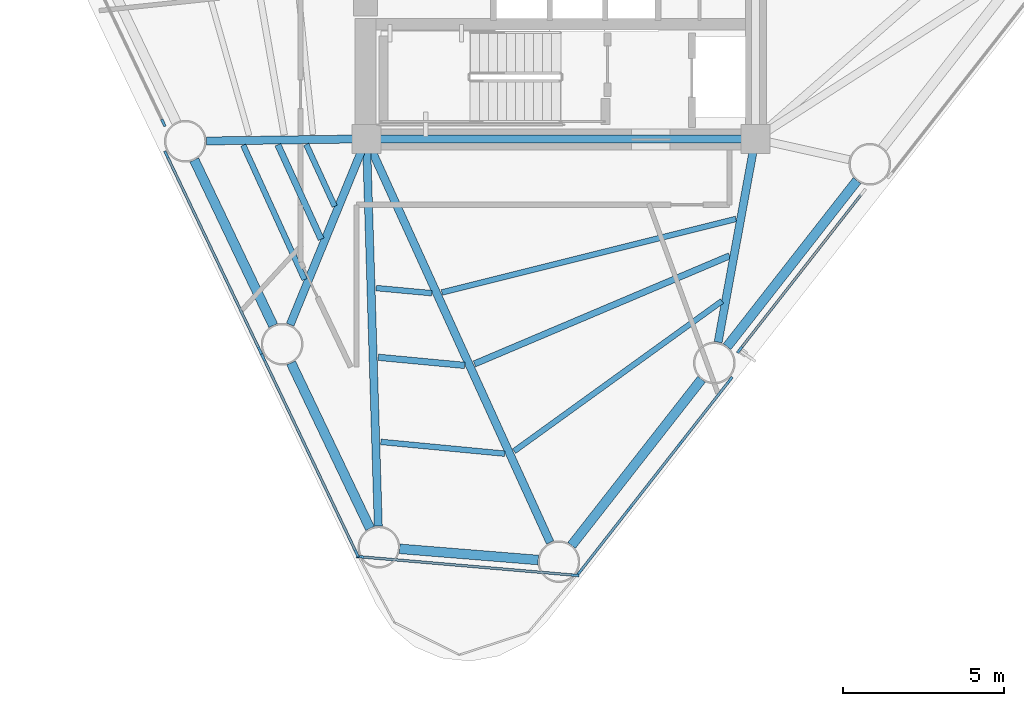
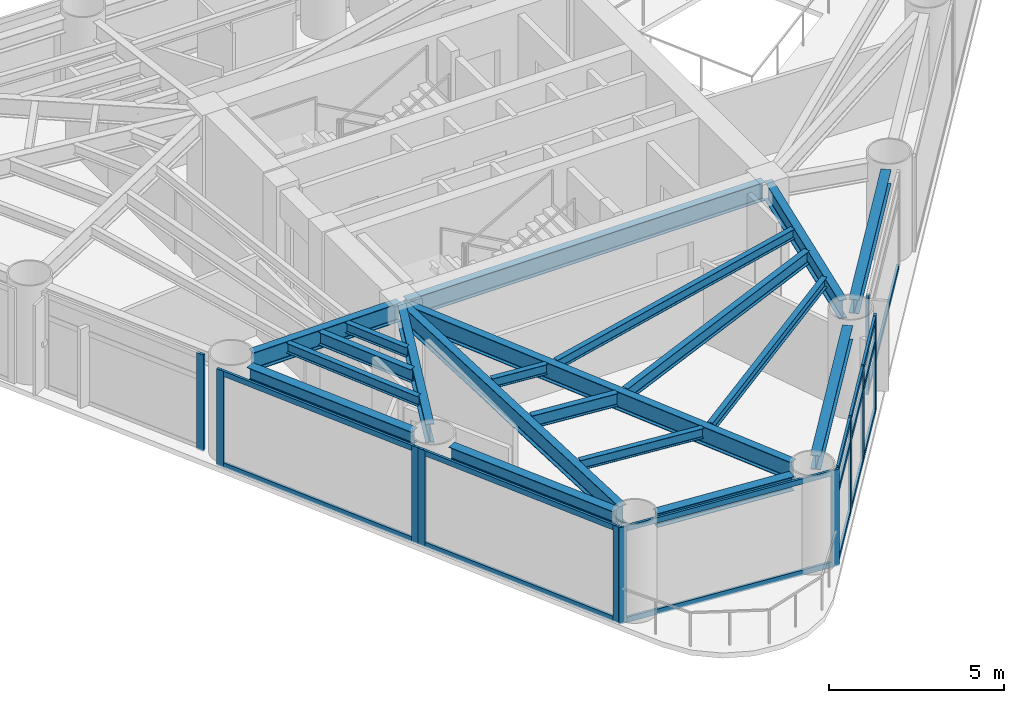
# One storey, part 2 of 10: 28 members, 20 beams, 6 elements without a shape of their own.
"""IFC4 building model written with IfcOpenShell, lengths in metres."""

from ifc_helpers import new_model, si_unit, direction, frame, origin, origin_2d, place, context, subcontext, project, spatial, rectangle, i_section, extrude, source, transform, mapped, material, layer, layer_set, material_profile, profile_set, type_object, element, aggregate, save


model = new_model("IFC4")

# Units and contexts
model_context = context("Model", 3, precision=1e-05, world=origin(), true_north=direction((0.0, 1.0)))
body_context = subcontext(model_context, "Body", "Model", "MODEL_VIEW")
ifc_project = project(units=[si_unit("LENGTHUNIT", "METRE"), si_unit("AREAUNIT", "SQUARE_METRE"), si_unit("VOLUMEUNIT", "CUBIC_METRE"), si_unit("PLANEANGLEUNIT", "RADIAN"), si_unit("MASSUNIT", "GRAM", prefix="KILO")], contexts=[model_context])

# Site, building, storey
site_placement = place(None, origin())
site = spatial("IfcSite", under=ifc_project, at=site_placement, CompositionType="ELEMENT")
building_placement = place(site_placement, origin())
building = spatial("IfcBuilding", under=site, at=building_placement, Name="Yunling Apex Tower", CompositionType="ELEMENT")
storey_placement = place(building_placement, frame((0.0, 0.0, 136.39990234375)))
storey = spatial("IfcBuildingStorey", under=building, at=storey_placement, Name="L33", CompositionType="ELEMENT", Elevation=136.39990234375)

# Beams
ifc_material_1 = material(Name="Steel Q355B", Category="steel")
ifc_material_profile_1 = material_profile(ifc_material_1, i_section(OverallWidth=0.25, OverallDepth=0.64990234375, WebThickness=0.011962890625, FlangeThickness=0.02001953125, FilletRadius=0.02392578125, at=origin_2d()))
ifc_profile_set_1 = profile_set([ifc_material_profile_1], Name="Steel Q355B")
beam_type_1 = type_object("IfcBeamType", Name="BG-PRI-4", PredefinedType="USERDEFINED", material=ifc_profile_set_1)
shared_shape_1 = source(origin(), body_context, "Body", "SweptSolid", [
    extrude(i_section(OverallWidth=0.25, OverallDepth=0.64990234375, WebThickness=0.011962890625, FlangeThickness=0.02001953125, FilletRadius=0.02392578125, at=origin_2d()), origin(), (0.0, 0.0, 1.0), 11.7998046875),
])
beam_1_placement = place(storey_placement, frame((-5.89990234375, -5.5, 2.945068359375), z_axis=(1.0, 0.0, 0.0), x_axis=(0.0, 1.0, 0.0)))
element("IfcBeam", 1, at=beam_1_placement, inside=storey, type_object=beam_type_1, Name="L33 Core Ring Tie Beam 1", ObjectType="GIRDER", PredefinedType="USERDEFINED", context=body_context, shape_type="MappedRepresentation", body=[
    mapped(shared_shape_1, transform((0.0, 0.0, 0.0), scale=1.0)),
])
ifc_material_profile_2 = material_profile(ifc_material_1, i_section(OverallWidth=0.300048828125, OverallDepth=0.489990234375, WebThickness=0.010986328125, FlangeThickness=0.01806640625, FilletRadius=0.02197265625, at=origin_2d()))
ifc_profile_set_2 = profile_set([ifc_material_profile_2], Name="Steel Q355B")
beam_type_2 = type_object("IfcBeamType", Name="BP-SPN-2", PredefinedType="SPANDREL", material=ifc_profile_set_2)
shared_shape_2 = source(origin(), body_context, "Body", "SweptSolid", [
    extrude(i_section(OverallWidth=0.300048828125, OverallDepth=0.489990234375, WebThickness=0.010986328125, FlangeThickness=0.01806640625, FilletRadius=0.02197265625, at=origin_2d()), origin(), (0.0, 0.0, 1.0), 6.562255859375),
])
for number, where, z_axis, x_axis, name in (
    (2, (0.332763671875, -18.147216796875, 3.025146484375), (0.616214963059, 0.787578008392, 0.0), (-0.787578008392, 0.616214963059, 0.0), "L33 Perimeter Spandrel Beam 1"),
    (3, (5.170166015625, -11.964599609375, 3.025146484375), (0.616214963059, 0.787578008392, 0.0), (-0.787578008392, 0.616214963059, 0.0), "L33 Perimeter Spandrel Beam 2"),
):
    element("IfcBeam", number, at=place(storey_placement, frame(where, z_axis=z_axis, x_axis=x_axis)), inside=storey, type_object=beam_type_2, Name=name, PredefinedType="SPANDREL", context=body_context, shape_type="MappedRepresentation", body=[
        mapped(shared_shape_2, transform((0.0, 0.0, 0.0), scale=1.0)),
    ])
shared_shape_3 = source(origin(), body_context, "Body", "SweptSolid", [
    extrude(i_section(OverallWidth=0.300048828125, OverallDepth=0.489990234375, WebThickness=0.010986328125, FlangeThickness=0.01806640625, FilletRadius=0.02197265625, at=origin_2d()), origin(), (0.0, 0.0, 1.0), 5.707763671875),
])
for number, where, z_axis, x_axis, name in (
    (4, (-11.407958984375, -6.15478515625, 3.025146484375), (0.430522919645, -0.902579645051, 0.0), (0.902579645051, 0.430522919645, 0.0), "L33 Perimeter Spandrel Beam 13"),
    (5, (-8.396240234375, -12.468994140625, 3.025146484375), (0.430522919645, -0.902579645051, 0.0), (0.902579645051, 0.430522919645, 0.0), "L33 Perimeter Spandrel Beam 14"),
):
    element("IfcBeam", number, at=place(storey_placement, frame(where, z_axis=z_axis, x_axis=x_axis)), inside=storey, type_object=beam_type_2, Name=name, PredefinedType="SPANDREL", context=body_context, shape_type="MappedRepresentation", body=[
        mapped(shared_shape_3, transform((0.0, 0.0, 0.0), scale=1.0)),
    ])
shared_shape_4 = source(origin(), body_context, "Body", "SweptSolid", [
    extrude(i_section(OverallWidth=0.300048828125, OverallDepth=0.489990234375, WebThickness=0.010986328125, FlangeThickness=0.01806640625, FilletRadius=0.02197265625, at=origin_2d()), origin(), (0.0, 0.0, 1.0), 4.328369140625),
])
beam_2_placement = place(storey_placement, frame((-5.02001953125, -18.25390625, 3.025146484375), z_axis=(0.996750747621, -0.08054779399, 0.0), x_axis=(0.08054779399, 0.996750747621, 0.0)))
element("IfcBeam", 6, at=beam_2_placement, inside=storey, type_object=beam_type_2, Name="L33 Perimeter Spandrel Beam 15", PredefinedType="SPANDREL", context=body_context, shape_type="MappedRepresentation", body=[
    mapped(shared_shape_4, transform((0.0, 0.0, 0.0), scale=1.0)),
])
shared_shape_5 = source(origin(), body_context, "Body", "SweptSolid", [
    extrude(i_section(OverallWidth=0.25, OverallDepth=0.64990234375, WebThickness=0.011962890625, FlangeThickness=0.02001953125, FilletRadius=0.02392578125, at=origin_2d()), origin(), (0.0, 0.0, 1.0), 13.714599609375),
])
beam_3_placement = place(storey_placement, frame((-0.33642578125, -18.0556640625, 2.945068359375), z_axis=(-0.414187834577, 0.910191429145, 0.0), x_axis=(-0.910191429145, -0.414187834577, 0.0)))
element("IfcBeam", 7, at=beam_3_placement, inside=storey, type_object=beam_type_1, Name="L33 Radial Primary Girder R01", ObjectType="GIRDER", PredefinedType="USERDEFINED", context=body_context, shape_type="MappedRepresentation", body=[
    mapped(shared_shape_5, transform((0.0, 0.0, 0.0), scale=1.0)),
])
shared_shape_6 = source(origin(), body_context, "Body", "SweptSolid", [
    extrude(i_section(OverallWidth=0.25, OverallDepth=0.64990234375, WebThickness=0.011962890625, FlangeThickness=0.02001953125, FilletRadius=0.02392578125, at=origin_2d()), origin(), (0.0, 0.0, 1.0), 6.349853515625),
])
beam_4_placement = place(storey_placement, frame((4.891845703125, -11.82470703125, 2.945068359375), z_axis=(0.18012699938, 0.983643362248, 0.0), x_axis=(-0.983643362248, 0.18012699938, 0.0)))
element("IfcBeam", 8, at=beam_4_placement, inside=storey, type_object=beam_type_1, Name="L33 Radial Primary Girder R02", ObjectType="GIRDER", PredefinedType="USERDEFINED", context=body_context, shape_type="MappedRepresentation", body=[
    mapped(shared_shape_6, transform((0.0, 0.0, 0.0), scale=1.0)),
])
shared_shape_7 = source(origin(), body_context, "Body", "SweptSolid", [
    extrude(i_section(OverallWidth=0.25, OverallDepth=0.64990234375, WebThickness=0.011962890625, FlangeThickness=0.02001953125, FilletRadius=0.02392578125, at=origin_2d()), origin(), (0.0, 0.0, 1.0), 4.89794921875),
])
beam_5_placement = place(storey_placement, frame((-11.02734375, -5.56494140625, 2.945068359375), z_axis=(0.999914718433, 0.0130597037, 0.0), x_axis=(-0.0130597037, 0.999914718433, 0.0)))
element("IfcBeam", 9, at=beam_5_placement, inside=storey, type_object=beam_type_1, Name="L33 Radial Primary Girder R13", ObjectType="GIRDER", PredefinedType="USERDEFINED", context=body_context, shape_type="MappedRepresentation", body=[
    mapped(shared_shape_7, transform((0.0, 0.0, 0.0), scale=1.0)),
])
shared_shape_8 = source(origin(), body_context, "Body", "SweptSolid", [
    extrude(i_section(OverallWidth=0.25, OverallDepth=0.64990234375, WebThickness=0.011962890625, FlangeThickness=0.02001953125, FilletRadius=0.02392578125, at=origin_2d()), origin(), (0.0, 0.0, 1.0), 6.16748046875),
])
beam_6_placement = place(storey_placement, frame((-8.423583984375, -11.279052734375, 2.945068359375), z_axis=(0.379933370098, 0.925013856267, 0.0), x_axis=(-0.925013856267, 0.379933370098, 0.0)))
element("IfcBeam", 10, at=beam_6_placement, inside=storey, type_object=beam_type_1, Name="L33 Radial Primary Girder R14", ObjectType="GIRDER", PredefinedType="USERDEFINED", context=body_context, shape_type="MappedRepresentation", body=[
    mapped(shared_shape_8, transform((0.0, 0.0, 0.0), scale=1.0)),
])
shared_shape_9 = source(origin(), body_context, "Body", "SweptSolid", [
    extrude(i_section(OverallWidth=0.25, OverallDepth=0.64990234375, WebThickness=0.011962890625, FlangeThickness=0.02001953125, FilletRadius=0.02392578125, at=origin_2d()), origin(), (0.0, 0.0, 1.0), 11.9697265625),
])
beam_7_placement = place(storey_placement, frame((-5.681884765625, -17.544189453125, 2.945068359375), z_axis=(-0.030554037514, 0.999533116406, 0.0), x_axis=(-0.999533116406, -0.030554037514, 0.0)))
element("IfcBeam", 11, at=beam_7_placement, inside=storey, type_object=beam_type_1, Name="L33 Radial Primary Girder R15", ObjectType="GIRDER", PredefinedType="USERDEFINED", context=body_context, shape_type="MappedRepresentation", body=[
    mapped(shared_shape_9, transform((0.0, 0.0, 0.0), scale=1.0)),
])
ifc_material_profile_3 = material_profile(ifc_material_1, i_section(OverallWidth=0.199951171875, OverallDepth=0.449951171875, WebThickness=0.009033203125, FlangeThickness=0.013916015625, FilletRadius=0.01806640625, at=origin_2d()))
ifc_profile_set_3 = profile_set([ifc_material_profile_3], Name="Steel Q355B")
beam_type_3 = type_object("IfcBeamType", Name="BS-SEC-3", PredefinedType="BEAM", material=ifc_profile_set_3)
shared_shape_10 = source(origin(), body_context, "Body", "SweptSolid", [
    extrude(i_section(OverallWidth=0.199951171875, OverallDepth=0.449951171875, WebThickness=0.009033203125, FlangeThickness=0.013916015625, FilletRadius=0.01806640625, at=origin_2d()), origin(), (0.0, 0.0, 1.0), 8.618896484375),
])
beam_8_placement = place(storey_placement, frame((-2.6884765625, -12.500732421875, 3.045166015625), z_axis=(0.920793969751, 0.390049311332, 0.0), x_axis=(-0.390049311332, 0.920793969751, 0.0)))
element("IfcBeam", 12, at=beam_8_placement, inside=storey, type_object=beam_type_3, Name="L33 Composite Floor Beam BS-1", PredefinedType="BEAM", context=body_context, shape_type="MappedRepresentation", body=[
    mapped(shared_shape_10, transform((0.0, 0.0, 0.0), scale=1.0)),
])
ifc_material_profile_4 = material_profile(ifc_material_1, i_section(OverallWidth=0.175048828125, OverallDepth=0.35009765625, WebThickness=0.007080078125, FlangeThickness=0.010986328125, FilletRadius=0.013916015625, at=origin_2d()))
ifc_profile_set_4 = profile_set([ifc_material_profile_4], Name="Steel Q355B")
beam_type_4 = type_object("IfcBeamType", Name="BJ-JST-1", PredefinedType="JOIST", material=ifc_profile_set_4)
shared_shape_11 = source(origin(), body_context, "Body", "SweptSolid", [
    extrude(i_section(OverallWidth=0.175048828125, OverallDepth=0.35009765625, WebThickness=0.007080078125, FlangeThickness=0.010986328125, FilletRadius=0.013916015625, at=origin_2d()), origin(), (0.0, 0.0, 1.0), 7.98046875),
])
beam_9_placement = place(storey_placement, frame((-1.45654296875, -15.2158203125, 3.09521484375), z_axis=(0.81075666384, 0.585383320602, 0.0), x_axis=(-0.585383320602, 0.81075666384, 0.0)))
element("IfcBeam", 13, at=beam_9_placement, inside=storey, type_object=beam_type_4, Name="L33 Composite Floor Joist BJ1-1", PredefinedType="JOIST", context=body_context, shape_type="MappedRepresentation", body=[
    mapped(shared_shape_11, transform((0.0, 0.0, 0.0), scale=1.0)),
])
shared_shape_12 = source(origin(), body_context, "Body", "SweptSolid", [
    extrude(i_section(OverallWidth=0.175048828125, OverallDepth=0.35009765625, WebThickness=0.007080078125, FlangeThickness=0.010986328125, FilletRadius=0.013916015625, at=origin_2d()), origin(), (0.0, 0.0, 1.0), 9.430419921875),
])
beam_10_placement = place(storey_placement, frame((-3.703125, -10.277587890625, 3.09521484375), z_axis=(0.970157726952, 0.242474709682, 0.0), x_axis=(-0.242474709682, 0.970157726952, 0.0)))
element("IfcBeam", 14, at=beam_10_placement, inside=storey, type_object=beam_type_4, Name="L33 Composite Floor Joist BJ3-1", PredefinedType="JOIST", context=body_context, shape_type="MappedRepresentation", body=[
    mapped(shared_shape_12, transform((0.0, 0.0, 0.0), scale=1.0)),
])
shared_shape_13 = source(origin(), body_context, "Body", "SweptSolid", [
    extrude(i_section(OverallWidth=0.199951171875, OverallDepth=0.449951171875, WebThickness=0.009033203125, FlangeThickness=0.013916015625, FilletRadius=0.01806640625, at=origin_2d()), origin(), (0.0, 0.0, 1.0), 3.234619140625),
])
beam_11_placement = place(storey_placement, frame((-8.805908203125, -5.682373046875, 3.045166015625), z_axis=(0.416337611841, -0.909210092864, 0.0), x_axis=(0.909210092864, 0.416337611841, 0.0)))
element("IfcBeam", 15, at=beam_11_placement, inside=storey, type_object=beam_type_3, Name="L33 Composite Floor Beam BS-13", PredefinedType="BEAM", context=body_context, shape_type="MappedRepresentation", body=[
    mapped(shared_shape_13, transform((0.0, 0.0, 0.0), scale=1.0)),
])
shared_shape_14 = source(origin(), body_context, "Body", "SweptSolid", [
    extrude(i_section(OverallWidth=0.175048828125, OverallDepth=0.35009765625, WebThickness=0.007080078125, FlangeThickness=0.010986328125, FilletRadius=0.013916015625, at=origin_2d()), origin(), (0.0, 0.0, 1.0), 4.596923828125),
])
beam_12_placement = place(storey_placement, frame((-9.883544921875, -5.696533203125, 3.09521484375), z_axis=(0.415258909569, -0.909703269217, 0.0), x_axis=(0.909703269217, 0.415258909569, 0.0)))
element("IfcBeam", 16, at=beam_12_placement, inside=storey, type_object=beam_type_4, Name="L33 Composite Floor Joist BJ1-13", PredefinedType="JOIST", context=body_context, shape_type="MappedRepresentation", body=[
    mapped(shared_shape_14, transform((0.0, 0.0, 0.0), scale=1.0)),
])
shared_shape_15 = source(origin(), body_context, "Body", "SweptSolid", [
    extrude(i_section(OverallWidth=0.175048828125, OverallDepth=0.35009765625, WebThickness=0.007080078125, FlangeThickness=0.010986328125, FilletRadius=0.013916015625, at=origin_2d()), origin(), (0.0, 0.0, 1.0), 2.1201171875),
])
beam_13_placement = place(storey_placement, frame((-7.924072265625, -5.670654296875, 3.09521484375), z_axis=(0.418101376265, -0.908400373825, 0.0), x_axis=(0.908400373825, 0.418101376265, 0.0)))
element("IfcBeam", 17, at=beam_13_placement, inside=storey, type_object=beam_type_4, Name="L33 Composite Floor Joist BJ3-13", PredefinedType="JOIST", context=body_context, shape_type="MappedRepresentation", body=[
    mapped(shared_shape_15, transform((0.0, 0.0, 0.0), scale=1.0)),
])
shared_shape_16 = source(origin(), body_context, "Body", "SweptSolid", [
    extrude(i_section(OverallWidth=0.199951171875, OverallDepth=0.449951171875, WebThickness=0.009033203125, FlangeThickness=0.013916015625, FilletRadius=0.01806640625, at=origin_2d()), origin(), (0.0, 0.0, 1.0), 2.700439453125),
])
beam_14_placement = place(storey_placement, frame((-5.68359375, -12.294921875, 3.045166015625), z_axis=(0.995595280091, -0.09375520391, 0.0), x_axis=(0.09375520391, 0.995595280091, 0.0)))
element("IfcBeam", 18, at=beam_14_placement, inside=storey, type_object=beam_type_3, Name="L33 Composite Floor Beam BS-15", PredefinedType="BEAM", context=body_context, shape_type="MappedRepresentation", body=[
    mapped(shared_shape_16, transform((0.0, 0.0, 0.0), scale=1.0)),
])
shared_shape_17 = source(origin(), body_context, "Body", "SweptSolid", [
    extrude(i_section(OverallWidth=0.175048828125, OverallDepth=0.35009765625, WebThickness=0.007080078125, FlangeThickness=0.010986328125, FilletRadius=0.013916015625, at=origin_2d()), origin(), (0.0, 0.0, 1.0), 3.874755859375),
])
beam_15_placement = place(storey_placement, frame((-5.60302734375, -14.92724609375, 3.09521484375), z_axis=(0.995505944035, -0.094699078094, 0.0), x_axis=(0.094699078094, 0.995505944035, 0.0)))
element("IfcBeam", 19, at=beam_15_placement, inside=storey, type_object=beam_type_4, Name="L33 Composite Floor Joist BJ1-15", PredefinedType="JOIST", context=body_context, shape_type="MappedRepresentation", body=[
    mapped(shared_shape_17, transform((0.0, 0.0, 0.0), scale=1.0)),
])
shared_shape_18 = source(origin(), body_context, "Body", "SweptSolid", [
    extrude(i_section(OverallWidth=0.175048828125, OverallDepth=0.35009765625, WebThickness=0.007080078125, FlangeThickness=0.010986328125, FilletRadius=0.013916015625, at=origin_2d()), origin(), (0.0, 0.0, 1.0), 1.739013671875),
])
beam_16_placement = place(storey_placement, frame((-5.749267578125, -10.14111328125, 3.09521484375), z_axis=(0.995737570839, -0.092231719166, 0.0), x_axis=(0.092231719166, 0.995737570839, 0.0)))
element("IfcBeam", 20, at=beam_16_placement, inside=storey, type_object=beam_type_4, Name="L33 Composite Floor Joist BJ3-15", PredefinedType="JOIST", context=body_context, shape_type="MappedRepresentation", body=[
    mapped(shared_shape_18, transform((0.0, 0.0, 0.0), scale=1.0)),
])

# Curtain wall, members
ifc_material_2 = material(Name="Bronze anodised aluminium", Category="aluminium")
ifc_layer = layer(ifc_material_2, 0.239990234375)
ifc_layer_set = layer_set([ifc_layer], Name="Bronze anodised aluminium")
curtain_wall_type = type_object("IfcCurtainWallType", Name="CW-SYS-3", PredefinedType="NOTDEFINED", material=ifc_layer_set)
curtain_wall_1_placement = place(storey_placement, origin())
curtain_wall_1 = element("IfcCurtainWall", 21, at=curtain_wall_1_placement, inside=storey, type_object=curtain_wall_type, Name="CW-L33-F1-B1", PredefinedType="NOTDEFINED")
ifc_material_profile_5 = material_profile(ifc_material_2, rectangle(XDim=0.080078125, YDim=0.18505859375, at=origin_2d()))
ifc_profile_set_5 = profile_set([ifc_material_profile_5], Name="Bronze anodised aluminium")
member_type_1 = type_object("IfcMemberType", Name="CW-TRN-3", PredefinedType="USERDEFINED", material=ifc_profile_set_5)
shared_shape_19 = source(origin(), body_context, "Body", "SweptSolid", [
    extrude(rectangle(XDim=0.080078125, YDim=0.18505859375, at=origin_2d()), origin(), (0.0, 0.0, 1.0), 2.451416015625),
])
member_1_placement = place(storey_placement, frame((0.59130859375, -18.96923828125, 0.0400390625), z_axis=(0.616192781155, 0.787595363402, 0.0), x_axis=(-0.787595363402, 0.616192781155, 0.0)))
member_1 = element("IfcMember", 22, at=member_1_placement, type_object=member_type_1, Name="CW-SYS-3 transom 1.1", ObjectType="TRANSOM", PredefinedType="USERDEFINED", context=body_context, shape_type="MappedRepresentation", body=[
    mapped(shared_shape_19, transform((0.0, 0.0, 0.0), scale=1.0)),
])
member_2_placement = place(storey_placement, frame((0.59130859375, -18.96923828125, 2.4853515625), z_axis=(0.616192781155, 0.787595363402, 0.0), x_axis=(-0.787595363402, 0.616192781155, 0.0)))
member_2 = element("IfcMember", 23, at=member_2_placement, type_object=member_type_1, Name="CW-SYS-3 transom 1.2", ObjectType="TRANSOM", PredefinedType="USERDEFINED", context=body_context, shape_type="MappedRepresentation", body=[
    mapped(shared_shape_19, transform((0.0, 0.0, 0.0), scale=1.0)),
])
member_3_placement = place(storey_placement, frame((0.59130859375, -18.96923828125, 3.22998046875), z_axis=(0.616192781155, 0.787595363402, 0.0), x_axis=(-0.787595363402, 0.616192781155, 0.0)))
member_3 = element("IfcMember", 24, at=member_3_placement, type_object=member_type_1, Name="CW-SYS-3 transom 1.3", ObjectType="TRANSOM", PredefinedType="USERDEFINED", context=body_context, shape_type="MappedRepresentation", body=[
    mapped(shared_shape_19, transform((0.0, 0.0, 0.0), scale=1.0)),
])
member_4_placement = place(storey_placement, frame((3.725830078125, -14.962890625, 0.0400390625), z_axis=(0.616192781155, 0.787595363402, 0.0), x_axis=(-0.787595363402, 0.616192781155, 0.0)))
member_4 = element("IfcMember", 25, at=member_4_placement, type_object=member_type_1, Name="CW-SYS-3 transom 3.1", ObjectType="TRANSOM", PredefinedType="USERDEFINED", context=body_context, shape_type="MappedRepresentation", body=[
    mapped(shared_shape_19, transform((0.0, 0.0, 0.0), scale=1.0)),
])
member_5_placement = place(storey_placement, frame((3.725830078125, -14.962890625, 2.4853515625), z_axis=(0.616192781155, 0.787595363402, 0.0), x_axis=(-0.787595363402, 0.616192781155, 0.0)))
member_5 = element("IfcMember", 26, at=member_5_placement, type_object=member_type_1, Name="CW-SYS-3 transom 3.2", ObjectType="TRANSOM", PredefinedType="USERDEFINED", context=body_context, shape_type="MappedRepresentation", body=[
    mapped(shared_shape_19, transform((0.0, 0.0, 0.0), scale=1.0)),
])
member_6_placement = place(storey_placement, frame((3.725830078125, -14.962890625, 3.22998046875), z_axis=(0.616192781155, 0.787595363402, 0.0), x_axis=(-0.787595363402, 0.616192781155, 0.0)))
member_6 = element("IfcMember", 27, at=member_6_placement, type_object=member_type_1, Name="CW-SYS-3 transom 3.3", ObjectType="TRANSOM", PredefinedType="USERDEFINED", context=body_context, shape_type="MappedRepresentation", body=[
    mapped(shared_shape_19, transform((0.0, 0.0, 0.0), scale=1.0)),
])
shared_shape_20 = source(origin(), body_context, "Body", "SweptSolid", [
    extrude(rectangle(XDim=0.080078125, YDim=0.18505859375, at=origin_2d()), origin(), (0.0, 0.0, 1.0), 2.491455078125),
])
member_7_placement = place(storey_placement, frame((2.146240234375, -16.981689453125, 0.0400390625), z_axis=(0.616197277936, 0.787591845225, 0.0), x_axis=(-0.787591845225, 0.616197277936, 0.0)))
member_7 = element("IfcMember", 28, at=member_7_placement, type_object=member_type_1, Name="CW-SYS-3 transom 2.1", ObjectType="TRANSOM", PredefinedType="USERDEFINED", context=body_context, shape_type="MappedRepresentation", body=[
    mapped(shared_shape_20, transform((0.0, 0.0, 0.0), scale=1.0)),
])
member_8_placement = place(storey_placement, frame((2.146240234375, -16.981689453125, 2.4853515625), z_axis=(0.616197277936, 0.787591845225, 0.0), x_axis=(-0.787591845225, 0.616197277936, 0.0)))
member_8 = element("IfcMember", 29, at=member_8_placement, type_object=member_type_1, Name="CW-SYS-3 transom 2.2", ObjectType="TRANSOM", PredefinedType="USERDEFINED", context=body_context, shape_type="MappedRepresentation", body=[
    mapped(shared_shape_20, transform((0.0, 0.0, 0.0), scale=1.0)),
])
member_9_placement = place(storey_placement, frame((2.146240234375, -16.981689453125, 3.22998046875), z_axis=(0.616197277936, 0.787591845225, 0.0), x_axis=(-0.787591845225, 0.616197277936, 0.0)))
member_9 = element("IfcMember", 30, at=member_9_placement, type_object=member_type_1, Name="CW-SYS-3 transom 2.3", ObjectType="TRANSOM", PredefinedType="USERDEFINED", context=body_context, shape_type="MappedRepresentation", body=[
    mapped(shared_shape_20, transform((0.0, 0.0, 0.0), scale=1.0)),
])

# Curtain wall, member
curtain_wall_2_placement = place(storey_placement, origin())
curtain_wall_2 = element("IfcCurtainWall", 31, at=curtain_wall_2_placement, inside=storey, type_object=curtain_wall_type, Name="CW-L33-F1-B2", PredefinedType="NOTDEFINED")
shared_shape_21 = source(origin(), body_context, "Body", "SweptSolid", [
    extrude(rectangle(XDim=0.080078125, YDim=0.18505859375, at=origin_2d()), origin(), (0.0, 0.0, 1.0), 6.158203125),
])
member_10_placement = place(storey_placement, frame((5.5859375, -12.03369140625, 0.0400390625), z_axis=(0.616202427613, 0.787587816185, 0.0), x_axis=(-0.787587816185, 0.616202427613, 0.0)))
member_10 = element("IfcMember", 32, at=member_10_placement, type_object=member_type_1, Name="CW-SYS-3 transom 1.1", ObjectType="TRANSOM", PredefinedType="USERDEFINED", context=body_context, shape_type="MappedRepresentation", body=[
    mapped(shared_shape_21, transform((0.0, 0.0, 0.0), scale=1.0)),
])

# Curtain wall, members
curtain_wall_3_placement = place(storey_placement, origin())
curtain_wall_3 = element("IfcCurtainWall", 33, at=curtain_wall_3_placement, inside=storey, type_object=curtain_wall_type, Name="CW-L33-F3-B3", PredefinedType="NOTDEFINED")
shared_shape_22 = source(origin(), body_context, "Body", "SweptSolid", [
    extrude(rectangle(XDim=0.080078125, YDim=0.18505859375, at=origin_2d()), origin(), (0.0, 0.0, 1.0), 6.68359375),
])
member_11_placement = place(storey_placement, frame((-12.2587890625, -6.02001953125, 0.0400390625), z_axis=(0.430493585609, -0.902593636555, 0.0), x_axis=(0.902593636555, 0.430493585609, 0.0)))
member_11 = element("IfcMember", 34, at=member_11_placement, type_object=member_type_1, Name="CW-SYS-3 transom 1.1", ObjectType="TRANSOM", PredefinedType="USERDEFINED", context=body_context, shape_type="MappedRepresentation", body=[
    mapped(shared_shape_22, transform((0.0, 0.0, 0.0), scale=1.0)),
])
member_12_placement = place(storey_placement, frame((-12.2587890625, -6.02001953125, 3.22998046875), z_axis=(0.430493585609, -0.902593636555, 0.0), x_axis=(0.902593636555, 0.430493585609, 0.0)))
member_12 = element("IfcMember", 35, at=member_12_placement, type_object=member_type_1, Name="CW-SYS-3 transom 1.2", ObjectType="TRANSOM", PredefinedType="USERDEFINED", context=body_context, shape_type="MappedRepresentation", body=[
    mapped(shared_shape_22, transform((0.0, 0.0, 0.0), scale=1.0)),
])

curtain_wall_4_placement = place(storey_placement, origin())
curtain_wall_4 = element("IfcCurtainWall", 36, at=curtain_wall_4_placement, inside=storey, type_object=curtain_wall_type, Name="CW-L33-F3-B4", PredefinedType="NOTDEFINED")
member_13_placement = place(storey_placement, frame((-9.2470703125, -12.334228515625, 0.0400390625), z_axis=(0.430493585609, -0.902593636555, 0.0), x_axis=(0.902593636555, 0.430493585609, 0.0)))
member_13 = element("IfcMember", 37, at=member_13_placement, type_object=member_type_1, Name="CW-SYS-3 transom 1.1", ObjectType="TRANSOM", PredefinedType="USERDEFINED", context=body_context, shape_type="MappedRepresentation", body=[
    mapped(shared_shape_22, transform((0.0, 0.0, 0.0), scale=1.0)),
])
member_14_placement = place(storey_placement, frame((-9.2470703125, -12.334228515625, 3.22998046875), z_axis=(0.430493585609, -0.902593636555, 0.0), x_axis=(0.902593636555, 0.430493585609, 0.0)))
member_14 = element("IfcMember", 38, at=member_14_placement, type_object=member_type_1, Name="CW-SYS-3 transom 1.2", ObjectType="TRANSOM", PredefinedType="USERDEFINED", context=body_context, shape_type="MappedRepresentation", body=[
    mapped(shared_shape_22, transform((0.0, 0.0, 0.0), scale=1.0)),
])

curtain_wall_5_placement = place(storey_placement, origin())
curtain_wall_5 = element("IfcCurtainWall", 39, at=curtain_wall_5_placement, inside=storey, type_object=curtain_wall_type, Name="CW-L33-CRN3", PredefinedType="NOTDEFINED")
shared_shape_23 = source(origin(), body_context, "Body", "SweptSolid", [
    extrude(rectangle(XDim=0.080078125, YDim=0.18505859375, at=origin_2d()), origin(), (0.0, 0.0, 1.0), 6.63720703125),
])
member_15_placement = place(storey_placement, frame((-6.208984375, -18.50537109375, 0.0400390625), z_axis=(0.996333043608, -0.085559723083, 0.0), x_axis=(0.085559723083, 0.996333043608, 0.0)))
member_15 = element("IfcMember", 40, at=member_15_placement, type_object=member_type_1, Name="CW-SYS-3 transom 1.1", ObjectType="TRANSOM", PredefinedType="USERDEFINED", context=body_context, shape_type="MappedRepresentation", body=[
    mapped(shared_shape_23, transform((0.0, 0.0, 0.0), scale=1.0)),
])
member_16_placement = place(storey_placement, frame((-6.208984375, -18.50537109375, 3.22998046875), z_axis=(0.996333043608, -0.085559723083, 0.0), x_axis=(0.085559723083, 0.996333043608, 0.0)))
member_16 = element("IfcMember", 41, at=member_16_placement, type_object=member_type_1, Name="CW-SYS-3 transom 1.2", ObjectType="TRANSOM", PredefinedType="USERDEFINED", context=body_context, shape_type="MappedRepresentation", body=[
    mapped(shared_shape_23, transform((0.0, 0.0, 0.0), scale=1.0)),
])

# Member
ifc_material_profile_6 = material_profile(ifc_material_2, rectangle(XDim=0.080078125, YDim=0.239990234375, at=origin_2d()))
ifc_profile_set_6 = profile_set([ifc_material_profile_6], Name="Bronze anodised aluminium")
member_type_2 = type_object("IfcMemberType", Name="CW-MUL-3", PredefinedType="MULLION", material=ifc_profile_set_6)
shared_shape_24 = source(origin(), body_context, "Body", "SweptSolid", [
    extrude(rectangle(XDim=0.080078125, YDim=0.239990234375, at=origin_2d()), origin(), (0.0, 0.0, 1.0), 3.369873046875),
])
member_17_placement = place(storey_placement, frame((0.569091796875, -18.99755859375, -0.0498046875), z_axis=(0.0, 0.0, 1.0), x_axis=(-0.787583748686, 0.616207626377, 0.0)))
member_17 = element("IfcMember", 42, at=member_17_placement, type_object=member_type_2, Name="CW-SYS-3 mullion 1", PredefinedType="MULLION", context=body_context, shape_type="MappedRepresentation", body=[
    mapped(shared_shape_24, transform((0.0, 0.0, 0.0), scale=1.0)),
])

member_18_placement = place(storey_placement, frame((2.1240234375, -17.01025390625, -0.0498046875), z_axis=(0.0, 0.0, 1.0), x_axis=(-0.787583748686, 0.616207626377, 0.0)))
member_18 = element("IfcMember", 43, at=member_18_placement, type_object=member_type_2, Name="CW-SYS-3 mullion 2", PredefinedType="MULLION", context=body_context, shape_type="MappedRepresentation", body=[
    mapped(shared_shape_24, transform((0.0, 0.0, 0.0), scale=1.0)),
])

member_19_placement = place(storey_placement, frame((3.70361328125, -14.9912109375, -0.0498046875), z_axis=(0.0, 0.0, 1.0), x_axis=(-0.787583748686, 0.616207626377, 0.0)))
member_19 = element("IfcMember", 44, at=member_19_placement, type_object=member_type_2, Name="CW-SYS-3 mullion 3", PredefinedType="MULLION", context=body_context, shape_type="MappedRepresentation", body=[
    mapped(shared_shape_24, transform((0.0, 0.0, 0.0), scale=1.0)),
])

member_20_placement = place(storey_placement, frame((5.258544921875, -13.00390625, -0.0498046875), z_axis=(0.0, 0.0, 1.0), x_axis=(-0.787583748686, 0.616207626377, 0.0)))
member_20 = element("IfcMember", 45, at=member_20_placement, type_object=member_type_2, Name="CW-SYS-3 mullion 4", PredefinedType="MULLION", context=body_context, shape_type="MappedRepresentation", body=[
    mapped(shared_shape_24, transform((0.0, 0.0, 0.0), scale=1.0)),
])

aggregate(curtain_wall_1, [member_17, member_18, member_19, member_20, member_1, member_2, member_3, member_7, member_8, member_9, member_4, member_5, member_6])

member_21_placement = place(storey_placement, frame((5.56396484375, -12.06201171875, -0.0498046875), z_axis=(0.0, 0.0, 1.0), x_axis=(-0.787590269126, 0.616199292419, 0.0)))
member_21 = element("IfcMember", 46, at=member_21_placement, type_object=member_type_2, Name="CW-SYS-3 mullion 1", PredefinedType="MULLION", context=body_context, shape_type="MappedRepresentation", body=[
    mapped(shared_shape_24, transform((0.0, 0.0, 0.0), scale=1.0)),
])

aggregate(curtain_wall_2, [member_21, member_10])

# Curtain wall, member
curtain_wall_6_placement = place(storey_placement, origin())
curtain_wall_6 = element("IfcCurtainWall", 47, at=curtain_wall_6_placement, inside=storey, type_object=curtain_wall_type, Name="CW-L33-F3-B2", PredefinedType="NOTDEFINED")
member_22_placement = place(storey_placement, frame((-12.36767578125, -5.001708984375, -0.0498046875), z_axis=(0.0, 0.0, 1.0), x_axis=(0.902579794247, 0.430522606859, 0.0)))
member_22 = element("IfcMember", 48, at=member_22_placement, type_object=member_type_2, Name="CW-SYS-3 mullion 2", PredefinedType="MULLION", context=body_context, shape_type="MappedRepresentation", body=[
    mapped(shared_shape_24, transform((0.0, 0.0, 0.0), scale=1.0)),
])
aggregate(curtain_wall_6, [member_22])

# Member
member_23_placement = place(storey_placement, frame((-12.274169921875, -5.987548828125, -0.0498046875), z_axis=(0.0, 0.0, 1.0), x_axis=(0.902593449526, 0.430493977743, 0.0)))
member_23 = element("IfcMember", 49, at=member_23_placement, type_object=member_type_2, Name="CW-SYS-3 mullion 1", PredefinedType="MULLION", context=body_context, shape_type="MappedRepresentation", body=[
    mapped(shared_shape_24, transform((0.0, 0.0, 0.0), scale=1.0)),
])

member_24_placement = place(storey_placement, frame((-9.365966796875, -12.085205078125, -0.0498046875), z_axis=(0.0, 0.0, 1.0), x_axis=(0.902593449526, 0.430493977743, 0.0)))
member_24 = element("IfcMember", 50, at=member_24_placement, type_object=member_type_2, Name="CW-SYS-3 mullion 2", PredefinedType="MULLION", context=body_context, shape_type="MappedRepresentation", body=[
    mapped(shared_shape_24, transform((0.0, 0.0, 0.0), scale=1.0)),
])

aggregate(curtain_wall_3, [member_23, member_24, member_11, member_12])

member_25_placement = place(storey_placement, frame((-9.2626953125, -12.3017578125, -0.0498046875), z_axis=(0.0, 0.0, 1.0), x_axis=(0.902585053788, 0.430511580192, 0.0)))
member_25 = element("IfcMember", 51, at=member_25_placement, type_object=member_type_2, Name="CW-SYS-3 mullion 1", PredefinedType="MULLION", context=body_context, shape_type="MappedRepresentation", body=[
    mapped(shared_shape_24, transform((0.0, 0.0, 0.0), scale=1.0)),
])

member_26_placement = place(storey_placement, frame((-6.354248046875, -18.399169921875, -0.0498046875), z_axis=(0.0, 0.0, 1.0), x_axis=(0.902585053788, 0.430511580192, 0.0)))
member_26 = element("IfcMember", 52, at=member_26_placement, type_object=member_type_2, Name="CW-SYS-3 mullion 2", PredefinedType="MULLION", context=body_context, shape_type="MappedRepresentation", body=[
    mapped(shared_shape_24, transform((0.0, 0.0, 0.0), scale=1.0)),
])

aggregate(curtain_wall_4, [member_25, member_26, member_13, member_14])

member_27_placement = place(storey_placement, frame((-6.24462890625, -18.50244140625, -0.0498046875), z_axis=(0.0, 0.0, 1.0), x_axis=(0.085550287883, 0.996333853808, 0.0)))
member_27 = element("IfcMember", 53, at=member_27_placement, type_object=member_type_2, Name="CW-SYS-3 mullion 1", PredefinedType="MULLION", context=body_context, shape_type="MappedRepresentation", body=[
    mapped(shared_shape_24, transform((0.0, 0.0, 0.0), scale=1.0)),
])

member_28_placement = place(storey_placement, frame((0.439697265625, -19.076171875, -0.0498046875), z_axis=(0.0, 0.0, 1.0), x_axis=(0.085550287883, 0.996333853808, 0.0)))
member_28 = element("IfcMember", 54, at=member_28_placement, type_object=member_type_2, Name="CW-SYS-3 mullion 2", PredefinedType="MULLION", context=body_context, shape_type="MappedRepresentation", body=[
    mapped(shared_shape_24, transform((0.0, 0.0, 0.0), scale=1.0)),
])

aggregate(curtain_wall_5, [member_27, member_28, member_15, member_16])

save(model, "model.ifc")
